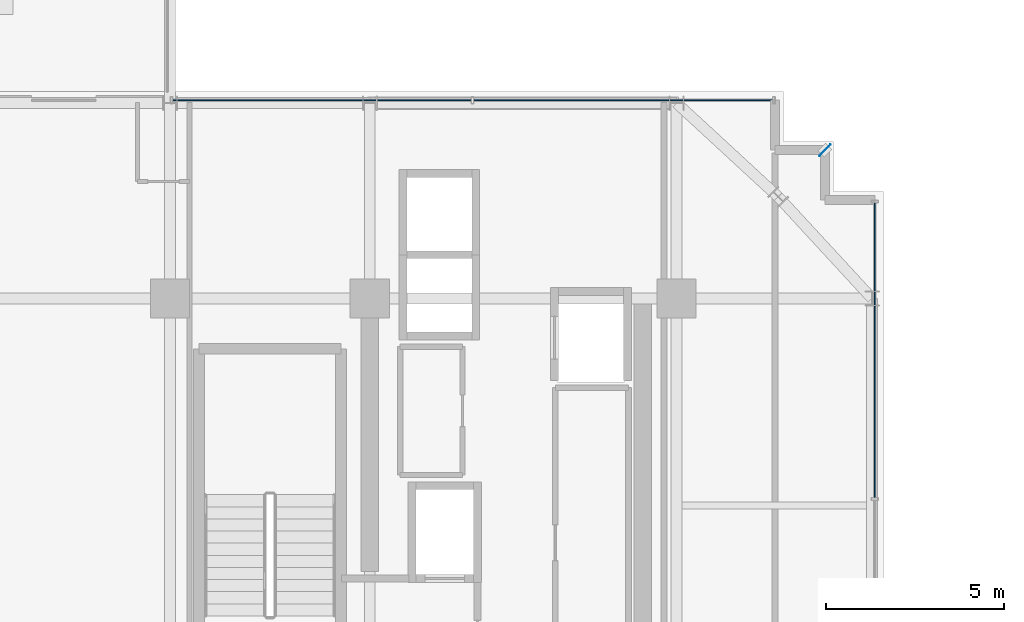
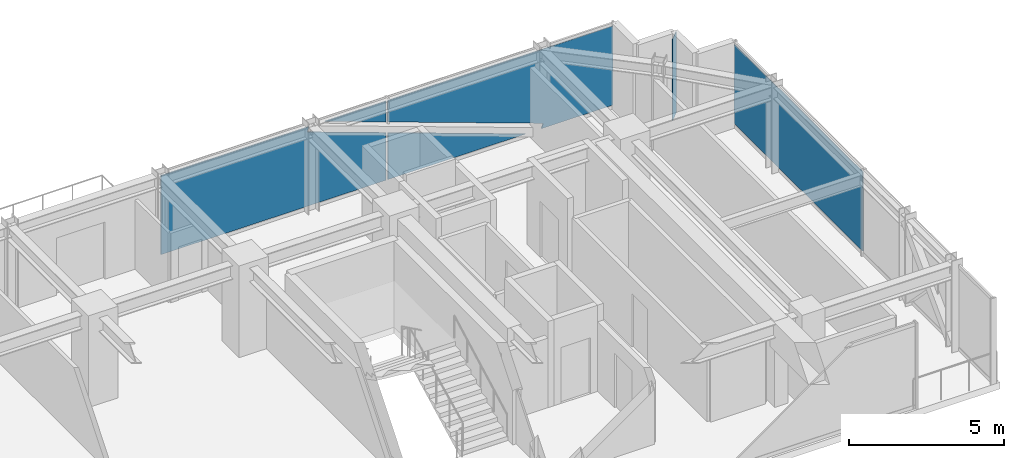
# One storey, part 33 of 41: 4 plates, 2 elements without a shape of their own.
"""IFC4 building model written with IfcOpenShell, lengths in metres."""

from ifc_helpers import new_model, si_unit, direction, frame, origin, origin_2d, place, context, subcontext, project, spatial, polyline, rectangle, outline, extrude, source, transform, mapped, material, layer, layer_set, type_object, element, aggregate, save


model = new_model("IFC4")

# Units and contexts
model_context = context("Model", 3, precision=1e-05, world=origin(), true_north=direction((0.0, 1.0)))
body_context = subcontext(model_context, "Body", "Model", "MODEL_VIEW")
ifc_project = project(units=[si_unit("LENGTHUNIT", "METRE"), si_unit("AREAUNIT", "SQUARE_METRE"), si_unit("VOLUMEUNIT", "CUBIC_METRE"), si_unit("PLANEANGLEUNIT", "RADIAN"), si_unit("MASSUNIT", "GRAM", prefix="KILO")], contexts=[model_context])

# Site, building, storey
site_placement = place(None, origin())
site = spatial("IfcSite", under=ifc_project, at=site_placement, CompositionType="ELEMENT")
building_placement = place(site_placement, origin())
building = spatial("IfcBuilding", under=site, at=building_placement, Name="Nahalor Promenade Grand Hotel", CompositionType="ELEMENT")
storey_placement = place(building_placement, frame((0.0, 0.0, 159.949951171875)))
storey = spatial("IfcBuildingStorey", under=building, at=storey_placement, Name="L40", CompositionType="ELEMENT", Elevation=159.949951171875)

# Curtain wall, plates
ifc_material_1 = material(Name="Anodised Bronze Aluminium EN AW-6063 T6", Category="aluminium")
curtain_wall_type = type_object("IfcCurtainWallType", Name="CW3 Elliptical-Void Collar Unitised Curtain Wall", PredefinedType="USERDEFINED", material=ifc_material_1)
curtain_wall_1_placement = place(storey_placement, origin())
curtain_wall_1 = element("IfcCurtainWall", 1, at=curtain_wall_1_placement, inside=storey, type_object=curtain_wall_type, Name="L40 Curtain Wall CW-L40-N-3", ObjectType="UNITISED_CURTAIN_WALL", PredefinedType="USERDEFINED")
ifc_material_2 = material(Name="Low-E Laminated Solar Glass", Category="glass")
ifc_layer_1 = layer(ifc_material_2, 0.030029296875)
ifc_layer_set_1 = layer_set([ifc_layer_1], Name="Low-E Laminated Solar Glass")
plate_type_1 = type_object("IfcPlateType", Name="CWP3 High-Wind Laminated Bronze IGU 30mm", PredefinedType="CURTAIN_PANEL", material=ifc_layer_set_1)
plate_1_placement = place(storey_placement, frame((7.0576171875, 22.56005859375, 0.14013671875), z_axis=(0.0, 0.0, 1.0), x_axis=(1.0, 0.0, 0.0)))
plate_1 = element("IfcPlate", 2, at=plate_1_placement, type_object=plate_type_1, Name="CW-L40-N-3 Glazing Panel 0-0", PredefinedType="CURTAIN_PANEL", context=body_context, shape_type="SweptSolid", body=[
    extrude(outline(polyline([(-4.1875, 0.0), (4.1875, 0.0), (4.1875, 1.865234375), (1.25146484375, 2.920166015625), (1.319580078125, 3.110107421875), (-4.1875, 3.110107421875), (-4.1875, 0.0)])), frame((0.0, 0.01513671875, 0.0), z_axis=(0.0, -1.0, 0.0), x_axis=(1.0, 0.0, 0.0)), (0.0, 0.0, 1.0), 0.030029296875),
    extrude(outline(polyline([(4.1875, 2.290283203125), (4.1875, 3.110107421875), (1.90625, 3.110107421875), (4.1875, 2.290283203125)])), frame((0.0, 0.01513671875, 0.0), z_axis=(0.0, -1.0, 0.0), x_axis=(1.0, 0.0, 0.0)), (0.0, 0.0, 1.0), 0.030029296875),
])
plate_2_placement = place(storey_placement, frame((15.50244140625, 22.56005859375, 0.14013671875), z_axis=(0.0, 0.0, 1.0), x_axis=(1.0, 0.0, 0.0)))
plate_2 = element("IfcPlate", 3, at=plate_2_placement, type_object=plate_type_1, Name="CW-L40-N-3 Glazing Panel 1-0", PredefinedType="CURTAIN_PANEL", context=body_context, shape_type="SweptSolid", body=[
    extrude(outline(polyline([(4.1875, 3.110107421875), (-4.1875, 3.110107421875), (-4.1875, 2.26513671875), (1.588623046875, 0.189697265625), (1.5205078125, 0.0), (4.1875, 0.0), (4.1875, 3.110107421875)])), frame((0.0, 0.01513671875, 0.0), z_axis=(0.0, -1.0, 0.0), x_axis=(1.0, 0.0, 0.0)), (0.0, 0.0, 1.0), 0.030029296875),
    extrude(outline(polyline([(-4.1875, 1.840087890625), (-4.1875, 0.0), (0.933837890625, 0.0), (-4.1875, 1.840087890625)])), frame((0.0, 0.01513671875, 0.0), z_axis=(0.0, -1.0, 0.0), x_axis=(1.0, 0.0, 0.0)), (0.0, 0.0, 1.0), 0.030029296875),
])
aggregate(curtain_wall_1, [plate_1, plate_2])

# Plate
ifc_layer_2 = layer(ifc_material_1, 0.02001953125)
ifc_layer_set_2 = layer_set([ifc_layer_2], Name="Anodised Bronze Aluminium EN AW-6063 T6")
plate_type_2 = type_object("IfcPlateType", Name="Plate-CornerFin-20", PredefinedType="SHEET", material=ifc_layer_set_2)
shared_shape_1 = source(origin(), body_context, "Body", "SweptSolid", [
    extrude(rectangle(XDim=0.449951171875, YDim=0.02001953125, at=origin_2d()), origin(), (0.0, 0.0, 1.0), 3.199951171875),
])
plate_3_placement = place(storey_placement, frame((21.159912109375, 21.159912109375, 0.0), z_axis=(0.0, 0.0, 1.0), x_axis=(0.707106781187, 0.707106781187, 0.0)))
element("IfcPlate", 4, at=plate_3_placement, inside=storey, type_object=plate_type_2, Name="FIN-L40-NE", PredefinedType="SHEET", context=body_context, shape_type="MappedRepresentation", body=[
    mapped(shared_shape_1, transform((0.0, 0.0, 0.0), scale=1.0)),
])

# Curtain wall, plate
curtain_wall_2_placement = place(storey_placement, origin())
curtain_wall_2 = element("IfcCurtainWall", 5, at=curtain_wall_2_placement, inside=storey, type_object=curtain_wall_type, Name="L40 Curtain Wall CW-L40-E-4", ObjectType="UNITISED_CURTAIN_WALL", PredefinedType="USERDEFINED")
shared_shape_2 = source(origin(), body_context, "Body", "SweptSolid", [
    extrude(rectangle(XDim=8.275390625, YDim=0.030029296875, at=origin_2d()), origin(), (0.0, 0.0, 1.0), 3.110107421875),
])
plate_4_placement = place(storey_placement, frame((22.56005859375, 15.55224609375, 0.14013671875), z_axis=(0.0, 0.0, 1.0), x_axis=(0.0, 1.0, 0.0)))
plate_4 = element("IfcPlate", 6, at=plate_4_placement, type_object=plate_type_1, Name="CW-L40-E-4 Glazing Panel 1-0", PredefinedType="CURTAIN_PANEL", context=body_context, shape_type="MappedRepresentation", body=[
    mapped(shared_shape_2, transform((0.0, 0.0, 0.0), scale=1.0)),
])
aggregate(curtain_wall_2, [plate_4])

save(model, "model.ifc")
